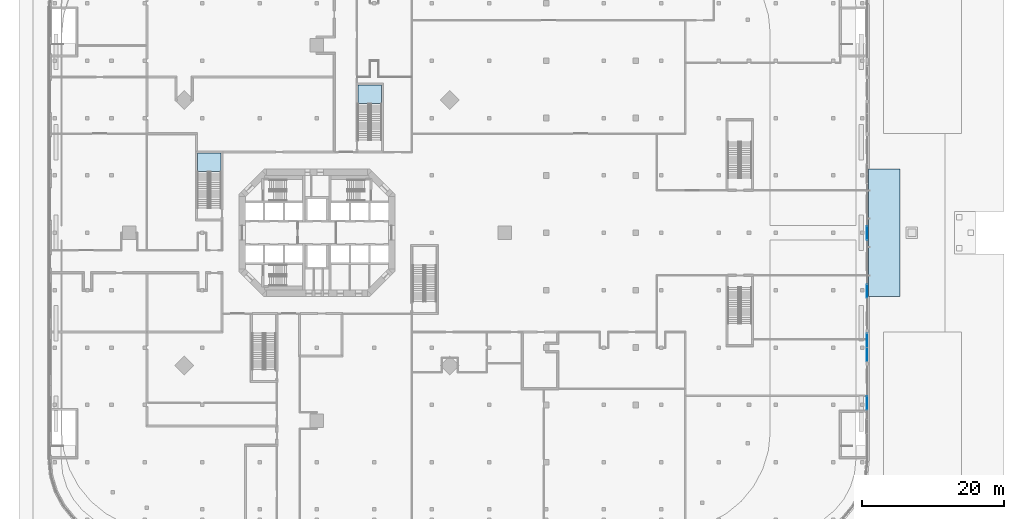
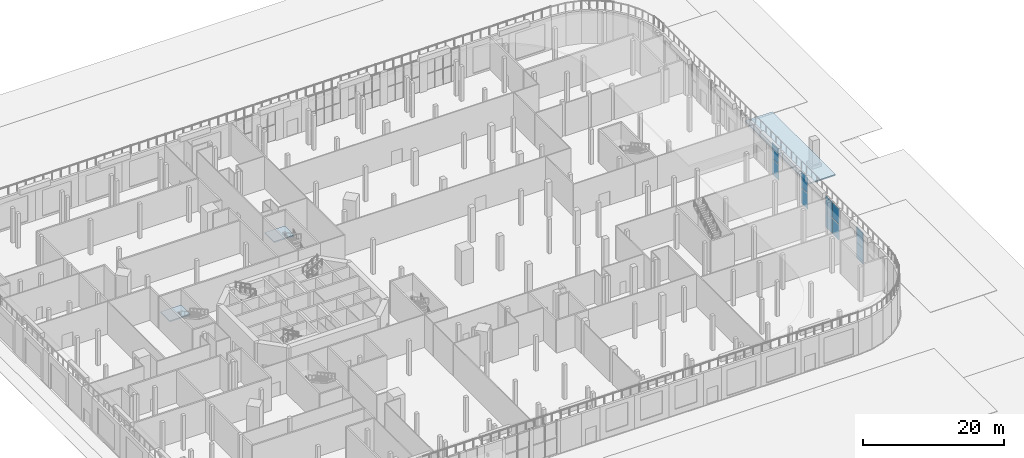
# One storey, part 11 of 32: 11 plates, 2 slabs, 6 elements without a shape of their own.
"""IFC4 building model written with IfcOpenShell, lengths in metres."""

import ifcopenshell
import ifcopenshell.guid

model = None  # the IFC model being written
_history = None  # IfcOwnerHistory: only IFC2X3 demands one
_inside = {}  # id of a spatial element -> (the spatial element, [elements in it])
_under = {}  # id of a project, library or spatial element -> (it, [spatial elements below it])
_declared = {}  # id of a project -> (the project, [libraries it declares])
_typed = {}  # id of a type object -> (the type object, [elements of that type])
_made_of = {}  # id of a material, layer set ... -> (it, [elements and type objects made of it])


def new_model(schema):
    """Start an empty IFC model of exactly this schema.

    Asked for "IFC4X3", IfcOpenShell would pick the latest addendum, in which some entities
    have other attributes; the version numbers below select the first issue.
    IFC2X3 requires an IfcOwnerHistory on every rooted entity: one is made here for all.
    """
    global model, _history
    if schema == "IFC4X3":
        model = ifcopenshell.file(schema_version=(4, 3, 0, 0))
    else:
        model = ifcopenshell.file(schema=schema)
    _inside.clear()
    _under.clear()
    _declared.clear()
    _typed.clear()
    _made_of.clear()
    _history = None
    if model.schema == "IFC2X3":
        org = make("IfcOrganization", Name="unknown")
        user = make(
            "IfcPersonAndOrganization",
            ThePerson=make("IfcPerson", FamilyName="unknown"),
            TheOrganization=org,
        )
        app = make(
            "IfcApplication",
            ApplicationDeveloper=org,
            Version="unknown",
            ApplicationFullName="unknown",
            ApplicationIdentifier="unknown",
        )
        _history = make(
            "IfcOwnerHistory",
            OwningUser=user,
            OwningApplication=app,
            ChangeAction="ADDED",
            CreationDate=0,
        )
    return model


def make(cls, **values):
    """One entity of the class cls with the attributes given. An attribute that is None is left unset."""
    return model.create_entity(
        cls, **{name: value for name, value in values.items() if value is not None}
    )


def rooted(cls, **values):
    """An entity with a GlobalId (a new one), such as an element, a storey or a relation."""
    return make(cls, GlobalId=ifcopenshell.guid.new(), OwnerHistory=_history, **values)


def si_unit(unit_type, name, prefix=None):
    """IfcSIUnit, for example si_unit("LENGTHUNIT", "METRE", prefix="MILLI")."""
    return make("IfcSIUnit", UnitType=unit_type, Prefix=prefix, Name=name)


def assignment(units):
    """IfcUnitAssignment: the units of a project."""
    return None if units is None else make("IfcUnitAssignment", Units=units)


def point(xyz):
    """IfcCartesianPoint."""
    return None if xyz is None else make("IfcCartesianPoint", Coordinates=xyz)


def direction(xyz):
    """IfcDirection."""
    return None if xyz is None else make("IfcDirection", DirectionRatios=xyz)


def frame(location, z_axis=None, x_axis=None):
    """IfcAxis2Placement3D, a coordinate frame: its origin and axes. An axis left out is left unset."""
    return make(
        "IfcAxis2Placement3D",
        Location=point(location),
        Axis=direction(z_axis),
        RefDirection=direction(x_axis),
    )


def frame_2d(location, x_axis=None):
    """IfcAxis2Placement2D, a coordinate frame in the plane: its origin and x axis."""
    return make(
        "IfcAxis2Placement2D", Location=point(location), RefDirection=direction(x_axis)
    )


def origin():
    """The frame at (0, 0, 0) with its axes left unset."""
    return frame((0.0, 0.0, 0.0))


def origin_2d():
    """The frame at (0, 0) in the plane with its x axis left unset."""
    return frame_2d((0.0, 0.0))


def place(relative_to, where):
    """IfcLocalPlacement: puts the frame where relative to a parent placement (None: the world)."""
    return make(
        "IfcLocalPlacement", PlacementRelTo=relative_to, RelativePlacement=where
    )


def context(
    kind, dimensions, precision=None, world=None, true_north=None, identifier=None
):
    """IfcGeometricRepresentationContext, for example the 3D "Model" context."""
    return make(
        "IfcGeometricRepresentationContext",
        ContextIdentifier=identifier,
        ContextType=kind,
        CoordinateSpaceDimension=dimensions,
        Precision=precision,
        WorldCoordinateSystem=world,
        TrueNorth=true_north,
    )


def subcontext(parent, identifier, kind, view, scale=None):
    """IfcGeometricRepresentationSubContext, for example "Body" below "Model"."""
    return make(
        "IfcGeometricRepresentationSubContext",
        ContextIdentifier=identifier,
        ContextType=kind,
        ParentContext=parent,
        TargetScale=scale,
        TargetView=view,
    )


def project(units=None, contexts=None):
    """IfcProject with its units and contexts."""
    return rooted(
        "IfcProject",
        Name="project",
        RepresentationContexts=contexts,
        UnitsInContext=assignment(units),
    )


def spatial(cls, under=None, at=None, **own):
    """A site, building, storey or space (cls), placed at a placement, below another one or the project."""
    s = rooted(cls, ObjectPlacement=at, **own)
    if under is not None:
        _under.setdefault(under.id(), (under, []))[1].append(s)
    return s


def polyline(points):
    """IfcPolyline through the points."""
    return make("IfcPolyline", Points=[point(p) for p in points])


def profile(cls, at=None, kind="AREA", **sizes):
    """A parametric profile (cls). Its sizes go by their IFC names, for example OverallWidth=200.0."""
    return make(cls, ProfileType=kind, Position=at, **sizes)


def rectangle(**sizes):
    """IfcRectangleProfileDef."""
    return profile("IfcRectangleProfileDef", **sizes)


def outline(outer, holes=None, kind="AREA"):
    """IfcArbitraryClosedProfileDef: a profile drawn as a closed curve; with holes, ...WithVoids."""
    if holes is None:
        return make("IfcArbitraryClosedProfileDef", ProfileType=kind, OuterCurve=outer)
    return make(
        "IfcArbitraryProfileDefWithVoids",
        ProfileType=kind,
        OuterCurve=outer,
        InnerCurves=holes,
    )


def extrude(swept, where, along, depth):
    """IfcExtrudedAreaSolid: the profile swept, set in the frame where, extruded along a direction by depth."""
    return make(
        "IfcExtrudedAreaSolid",
        SweptArea=swept,
        Position=where,
        ExtrudedDirection=direction(along),
        Depth=depth,
    )


def shape(context_of_items, identifier, shape_type, items):
    """IfcShapeRepresentation: the items that make up one representation, for example the "Body"."""
    return make(
        "IfcShapeRepresentation",
        ContextOfItems=context_of_items,
        RepresentationIdentifier=identifier,
        RepresentationType=shape_type,
        Items=items,
    )


def material(Name=None, Category=None):
    """IfcMaterial."""
    return make("IfcMaterial", Name=Name, Category=Category)


def layer(
    of_material, thickness, ventilated=None, Name=None, Category=None, Priority=None
):
    """IfcMaterialLayer: one layer of a wall or slab, of a material (None: an air gap)."""
    return make(
        "IfcMaterialLayer",
        Material=of_material,
        LayerThickness=thickness,
        IsVentilated=ventilated,
        Name=Name,
        Category=Category,
        Priority=Priority,
    )


def layer_set(layers, Name=None):
    """IfcMaterialLayerSet."""
    return make("IfcMaterialLayerSet", MaterialLayers=layers, LayerSetName=Name)


def made_of(thing, what):
    """Note that an element or type object is made of a material, layer set ...; save() writes the relation."""
    if what is not None:
        _made_of.setdefault(what.id(), (what, []))[1].append(thing)
    return thing


def type_object(cls, material=None, **own):
    """A type object (cls), such as IfcWallType, which elements share."""
    return made_of(rooted(cls, **own), material)


def element(
    cls,
    number,
    at=None,
    inside=None,
    cuts=None,
    type_object=None,
    material=None,
    context=None,
    identifier="Body",
    shape_type=None,
    held_by="IfcProductDefinitionShape",
    body=None,
    shapes=None,
    **own,
):
    """One element of the class cls, such as IfcWall. Its Tag is "e" and its number.

    at: its placement. inside: the storey or other place that contains it. cuts: it is an
    opening in that element (IfcRelVoidsElement). A single representation is given by context,
    identifier, shape_type and body (its items); several are given by shapes. held_by: the class
    of the entity that holds the representations. save() writes the other relations.
    """
    e = rooted(cls, Tag="e%d" % number, ObjectPlacement=at, **own)
    if body is not None:
        shapes = [shape(context, identifier, shape_type, body)]
    if shapes is not None:
        e.Representation = make(held_by, Representations=shapes)
    if inside is not None:
        _inside.setdefault(inside.id(), (inside, []))[1].append(e)
    if cuts is not None:
        rooted(
            "IfcRelVoidsElement", RelatingBuildingElement=cuts, RelatedOpeningElement=e
        )
    if type_object is not None:
        _typed.setdefault(type_object.id(), (type_object, []))[1].append(e)
    return made_of(e, material)


def aggregate(whole, parts):
    """IfcRelAggregates: a whole, such as a stair, and the parts it consists of."""
    return rooted("IfcRelAggregates", RelatingObject=whole, RelatedObjects=parts)


def save(model, path):
    """Write the relations noted so far, then the file.

    IfcRelAggregates (storeys below a building ...), IfcRelContainedInSpatialStructure (elements
    in a storey), IfcRelDefinesByType, IfcRelAssociatesMaterial and IfcRelDeclares: one each for
    every whole, place, type object, material and project.
    """
    for whole, parts in _under.values():
        aggregate(whole, parts)
    for where, things in _inside.values():
        rooted(
            "IfcRelContainedInSpatialStructure",
            RelatedElements=things,
            RelatingStructure=where,
        )
    for kind, things in _typed.values():
        rooted("IfcRelDefinesByType", RelatedObjects=things, RelatingType=kind)
    for what, things in _made_of.values():
        rooted("IfcRelAssociatesMaterial", RelatedObjects=things, RelatingMaterial=what)
    for by, libraries in _declared.values():
        rooted("IfcRelDeclares", RelatingContext=by, RelatedDefinitions=libraries)
    model.write(path)


model = new_model("IFC4")

# Units and contexts
model_context = context("Model", 3, precision=1e-05, world=origin(), true_north=direction((0.0, 1.0)))
body_context = subcontext(model_context, "Body", "Model", "MODEL_VIEW")
ifc_project = project(units=[si_unit("LENGTHUNIT", "METRE"), si_unit("AREAUNIT", "SQUARE_METRE"), si_unit("VOLUMEUNIT", "CUBIC_METRE"), si_unit("PLANEANGLEUNIT", "RADIAN"), si_unit("MASSUNIT", "GRAM", prefix="KILO")], contexts=[model_context])

# Site, building, storey
site_placement = place(None, origin())
site = spatial("IfcSite", under=ifc_project, at=site_placement, CompositionType="ELEMENT")
building_placement = place(site_placement, origin())
building = spatial("IfcBuilding", under=site, at=building_placement, Name="Torre Triforio", CompositionType="ELEMENT")
storey_placement = place(building_placement, origin())
storey = spatial("IfcBuildingStorey", under=building, at=storey_placement, Name="L00", CompositionType="ELEMENT", Elevation=0.0)

# Curtain wall, plates
ifc_material_1 = material(Name="Aluminium mullion and transom frame with clear laminated glass", Category="aluminium")
curtain_wall_type = type_object("IfcCurtainWallType", Name="Lobby curtain wall ECW1", PredefinedType="NOTDEFINED", material=ifc_material_1)
curtain_wall_1_placement = place(storey_placement, origin())
curtain_wall_1 = element("IfcCurtainWall", 1, at=curtain_wall_1_placement, inside=storey, type_object=curtain_wall_type, Name="Lobby curtain wall L00 09.2.1.2", PredefinedType="NOTDEFINED")
ifc_material_2 = material(Name="Clear laminated glass", Category="glass")
ifc_layer_1 = layer(ifc_material_2, 0.031982421875)
ifc_layer_set_1 = layer_set([ifc_layer_1], Name="Clear laminated glass")
plate_type_1 = type_object("IfcPlateType", Name="ECW1 glass panel 32", PredefinedType="CURTAIN_PANEL", material=ifc_layer_set_1)
plate_1_placement = place(storey_placement, frame((77.675048828125, -24.029296875, 0.080078125), z_axis=(0.0, 0.0, 1.0), x_axis=(0.0, 1.0, 0.0)))
plate_1 = element("IfcPlate", 2, at=plate_1_placement, type_object=plate_type_1, Name="ECW1 panel 1.1", PredefinedType="CURTAIN_PANEL", context=body_context, shape_type="SweptSolid", body=[
    extrude(rectangle(XDim=1.89501953125, YDim=0.031982421875, at=origin_2d()), origin(), (0.0, 0.0, 1.0), 2.719970703125),
])
plate_2_placement = place(storey_placement, frame((77.675048828125, -24.029296875, 2.8798828125), z_axis=(0.0, 0.0, 1.0), x_axis=(0.0, 1.0, 0.0)))
plate_2 = element("IfcPlate", 3, at=plate_2_placement, type_object=plate_type_1, Name="ECW1 panel 1.2", PredefinedType="CURTAIN_PANEL", context=body_context, shape_type="SweptSolid", body=[
    extrude(rectangle(XDim=1.89501953125, YDim=0.031982421875, at=origin_2d()), origin(), (0.0, 0.0, 1.0), 2.719970703125),
])
aggregate(curtain_wall_1, [plate_1, plate_2])

curtain_wall_2_placement = place(storey_placement, origin())
curtain_wall_2 = element("IfcCurtainWall", 4, at=curtain_wall_2_placement, inside=storey, type_object=curtain_wall_type, Name="Lobby curtain wall L00 09.4.1.1", PredefinedType="NOTDEFINED")
plate_3_placement = place(storey_placement, frame((77.675048828125, -17.1962890625, 0.080078125), z_axis=(0.0, 0.0, 1.0), x_axis=(0.0, 1.0, 0.0)))
plate_3 = element("IfcPlate", 5, at=plate_3_placement, type_object=plate_type_1, Name="ECW1 panel 1.1", PredefinedType="CURTAIN_PANEL", context=body_context, shape_type="SweptSolid", body=[
    extrude(rectangle(XDim=1.927490234375, YDim=0.031982421875, at=origin_2d()), origin(), (0.0, 0.0, 1.0), 2.719970703125),
])
plate_4_placement = place(storey_placement, frame((77.675048828125, -17.1962890625, 2.8798828125), z_axis=(0.0, 0.0, 1.0), x_axis=(0.0, 1.0, 0.0)))
plate_4 = element("IfcPlate", 6, at=plate_4_placement, type_object=plate_type_1, Name="ECW1 panel 1.2", PredefinedType="CURTAIN_PANEL", context=body_context, shape_type="SweptSolid", body=[
    extrude(rectangle(XDim=1.927490234375, YDim=0.031982421875, at=origin_2d()), origin(), (0.0, 0.0, 1.0), 2.719970703125),
])
plate_5_placement = place(storey_placement, frame((77.675048828125, -15.203857421875, 0.080078125), z_axis=(0.0, 0.0, 1.0), x_axis=(0.0, 1.0, 0.0)))
plate_5 = element("IfcPlate", 7, at=plate_5_placement, type_object=plate_type_1, Name="ECW1 panel 2.1", PredefinedType="CURTAIN_PANEL", context=body_context, shape_type="SweptSolid", body=[
    extrude(rectangle(XDim=1.927490234375, YDim=0.031982421875, at=origin_2d()), origin(), (0.0, 0.0, 1.0), 2.719970703125),
])
plate_6_placement = place(storey_placement, frame((77.675048828125, -15.203857421875, 2.8798828125), z_axis=(0.0, 0.0, 1.0), x_axis=(0.0, 1.0, 0.0)))
plate_6 = element("IfcPlate", 8, at=plate_6_placement, type_object=plate_type_1, Name="ECW1 panel 2.2", PredefinedType="CURTAIN_PANEL", context=body_context, shape_type="SweptSolid", body=[
    extrude(rectangle(XDim=1.927490234375, YDim=0.031982421875, at=origin_2d()), origin(), (0.0, 0.0, 1.0), 2.719970703125),
])
aggregate(curtain_wall_2, [plate_3, plate_4, plate_5, plate_6])

curtain_wall_3_placement = place(storey_placement, origin())
curtain_wall_3 = element("IfcCurtainWall", 9, at=curtain_wall_3_placement, inside=storey, type_object=curtain_wall_type, Name="Lobby curtain wall L00 09.6.1.1", PredefinedType="NOTDEFINED")
plate_7_placement = place(storey_placement, frame((77.675048828125, -8.25, 0.080078125), z_axis=(0.0, 0.0, 1.0), x_axis=(0.0, 1.0, 0.0)))
plate_7 = element("IfcPlate", 10, at=plate_7_placement, type_object=plate_type_1, Name="ECW1 panel 1.1", PredefinedType="CURTAIN_PANEL", context=body_context, shape_type="SweptSolid", body=[
    extrude(rectangle(XDim=1.89501953125, YDim=0.031982421875, at=origin_2d()), origin(), (0.0, 0.0, 1.0), 2.719970703125),
])
plate_8_placement = place(storey_placement, frame((77.675048828125, -8.25, 2.8798828125), z_axis=(0.0, 0.0, 1.0), x_axis=(0.0, 1.0, 0.0)))
plate_8 = element("IfcPlate", 11, at=plate_8_placement, type_object=plate_type_1, Name="ECW1 panel 1.2", PredefinedType="CURTAIN_PANEL", context=body_context, shape_type="SweptSolid", body=[
    extrude(rectangle(XDim=1.89501953125, YDim=0.031982421875, at=origin_2d()), origin(), (0.0, 0.0, 1.0), 2.719970703125),
])
aggregate(curtain_wall_3, [plate_7, plate_8])

curtain_wall_4_placement = place(storey_placement, origin())
curtain_wall_4 = element("IfcCurtainWall", 12, at=curtain_wall_4_placement, inside=storey, type_object=curtain_wall_type, Name="Lobby curtain wall L00 09.8.1.1", PredefinedType="NOTDEFINED")
plate_9_placement = place(storey_placement, frame((77.675048828125, 0.0, 0.080078125), z_axis=(0.0, 0.0, 1.0), x_axis=(0.0, 1.0, 0.0)))
plate_9 = element("IfcPlate", 13, at=plate_9_placement, type_object=plate_type_1, Name="ECW1 panel 1.1", PredefinedType="CURTAIN_PANEL", context=body_context, shape_type="SweptSolid", body=[
    extrude(rectangle(XDim=1.89501953125, YDim=0.031982421875, at=origin_2d()), origin(), (0.0, 0.0, 1.0), 2.719970703125),
])
plate_10_placement = place(storey_placement, frame((77.675048828125, 0.0, 2.8798828125), z_axis=(0.0, 0.0, 1.0), x_axis=(0.0, 1.0, 0.0)))
plate_10 = element("IfcPlate", 14, at=plate_10_placement, type_object=plate_type_1, Name="ECW1 panel 1.2", PredefinedType="CURTAIN_PANEL", context=body_context, shape_type="SweptSolid", body=[
    extrude(rectangle(XDim=1.89501953125, YDim=0.031982421875, at=origin_2d()), origin(), (0.0, 0.0, 1.0), 2.719970703125),
])
aggregate(curtain_wall_4, [plate_9, plate_10])

# Stair, slab
ifc_material_3 = material(Name="Concrete C40", Category="concrete")
stair_type = type_object("IfcStairType", Name="Egress stair 1400 clear", PredefinedType="NOTDEFINED", material=ifc_material_3)
stair_1_placement = place(storey_placement, origin())
stair_1 = element("IfcStair", 15, at=stair_1_placement, inside=storey, type_object=stair_type, Name="Exit stair PS1 L00 to L01", PredefinedType="NOTDEFINED")
ifc_layer_2 = layer(ifc_material_3, 0.199951171875)
ifc_layer_set_2 = layer_set([ifc_layer_2], Name="Concrete C40")
slab_type = type_object("IfcSlabType", Name="Egress stair landing 200", PredefinedType="LANDING", material=ifc_layer_set_2)
slab_1_placement = place(storey_placement, frame((0.0, 0.0, 2.800048828125)))
slab_1 = element("IfcSlab", 16, at=slab_1_placement, type_object=slab_type, Name="PS1 landing 1", PredefinedType="LANDING", context=body_context, shape_type="SweptSolid", body=[
    extrude(outline(polyline([(-16.875, 8.625), (-13.52490234375, 8.625), (-13.52490234375, 11.27490234375), (-16.875, 11.27490234375), (-16.875, 8.625)])), origin(), (0.0, 0.0, 1.0), 0.199951171875),
])
aggregate(stair_1, [slab_1])

stair_2_placement = place(storey_placement, origin())
stair_2 = element("IfcStair", 17, at=stair_2_placement, inside=storey, type_object=stair_type, Name="Exit stair PS4 L00 to L01", PredefinedType="NOTDEFINED")
slab_2_placement = place(storey_placement, frame((0.0, 0.0, 2.800048828125)))
slab_2 = element("IfcSlab", 18, at=slab_2_placement, type_object=slab_type, Name="PS4 landing 1", PredefinedType="LANDING", context=body_context, shape_type="SweptSolid", body=[
    extrude(outline(polyline([(5.77490234375, 18.22509765625), (9.125, 18.22509765625), (9.125, 20.875), (5.77490234375, 20.875), (5.77490234375, 18.22509765625)])), origin(), (0.0, 0.0, 1.0), 0.199951171875),
])
aggregate(stair_2, [slab_2])

# Plate
ifc_material_4 = material(Name="Stainless steel AISI 316 and laminated glass", Category="steel")
ifc_layer_3 = layer(ifc_material_4, 0.199951171875)
ifc_layer_set_3 = layer_set([ifc_layer_3], Name="Stainless steel AISI 316 and laminated glass")
plate_type_2 = type_object("IfcPlateType", Name="Entrance canopy plate 200", PredefinedType="SHEET", material=ifc_layer_set_3)
plate_11_placement = place(storey_placement, frame((80.10009765625, 0.0, 4.2001953125), z_axis=(0.0, 0.0, 1.0), x_axis=(1.0, 0.0, 0.0)))
element("IfcPlate", 19, at=plate_11_placement, inside=storey, type_object=plate_type_2, Name="Canopy main entrance", PredefinedType="SHEET", context=body_context, shape_type="SweptSolid", body=[
    extrude(rectangle(XDim=4.5, YDim=18.0, at=origin_2d()), origin(), (0.0, 0.0, 1.0), 0.199951171875),
])

save(model, "model.ifc")
